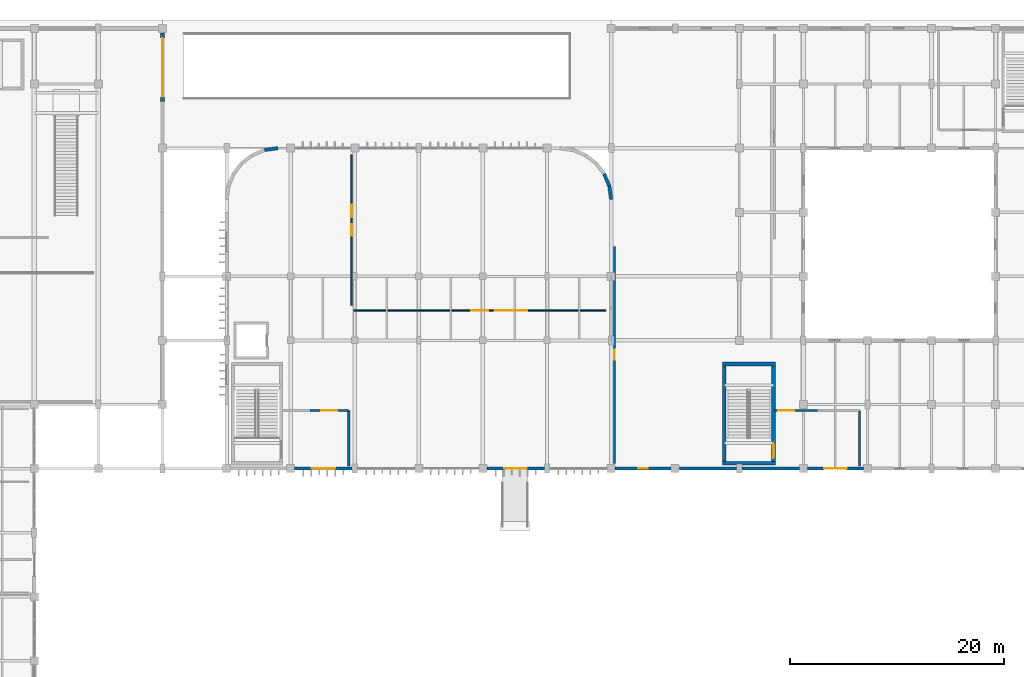
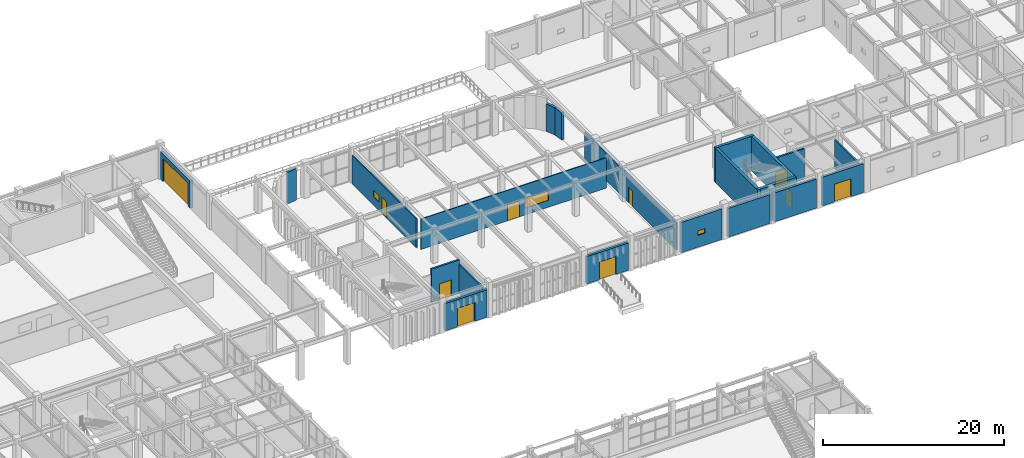
# One storey, part 47 of 76: 21 walls, 10 doors, 3 windows, 13 openings.
"""IFC4 building model written with IfcOpenShell, lengths in metres."""

from ifc_helpers import new_model, si_unit, direction, frame, frame_2d, origin, place, context, subcontext, project, spatial, rectangle, extrude, material, layer, layer_set, type_object, element, fill, save


model = new_model("IFC4")

# Units and contexts
model_context = context("Model", 3, precision=1e-05, world=origin(), true_north=direction((0.0, 1.0)))
body_context = subcontext(model_context, "Body", "Model", "MODEL_VIEW")
ifc_project = project(units=[si_unit("LENGTHUNIT", "METRE"), si_unit("AREAUNIT", "SQUARE_METRE"), si_unit("VOLUMEUNIT", "CUBIC_METRE"), si_unit("PLANEANGLEUNIT", "RADIAN"), si_unit("MASSUNIT", "GRAM", prefix="KILO")], contexts=[model_context])

# Site, building, storey
site_placement = place(None, origin())
site = spatial("IfcSite", under=ifc_project, at=site_placement, CompositionType="ELEMENT")
building_placement = place(site_placement, origin())
building = spatial("IfcBuilding", under=site, at=building_placement, Name="Varnakota Square Police Headquarters", CompositionType="ELEMENT")
storey_placement = place(building_placement, origin())
storey = spatial("IfcBuildingStorey", under=building, at=storey_placement, Name="L00", CompositionType="ELEMENT", Elevation=0.0)

# Wall
ifc_material_1 = material(Name="Concrete M50", Category="concrete")
ifc_layer_1 = layer(ifc_material_1, 0.35009765625, Name="Concrete M50")
ifc_layer_set_1 = layer_set([ifc_layer_1], Name="Concrete M50")
wall_type_1 = type_object("IfcWallType", Name="WL-CORE-350", PredefinedType="SHEAR", material=ifc_layer_set_1)
wall_1_placement = place(storey_placement, frame((106.425048828125, 69.5, 0.0), z_axis=(0.0, 0.0, 1.0), x_axis=(1.0, 0.0, 0.0)))
element("IfcWall", 1, at=wall_1_placement, inside=storey, type_object=wall_type_1, Name="Core C9 shear wall L00 S", PredefinedType="SHEAR", context=body_context, shape_type="SweptSolid", body=[
    extrude(rectangle(XDim=4.949951171875, YDim=0.35009765625, at=frame_2d((2.47509765625, 0.0))), origin(), (0.0, 0.0, 1.0), 4.659912109375),
])

# Wall, opening, door
wall_2_placement = place(storey_placement, frame((111.199951171875, 69.324951171875, 0.0), z_axis=(0.0, 0.0, 1.0), x_axis=(0.0, 1.0, 0.0)))
wall_2 = element("IfcWall", 2, at=wall_2_placement, inside=storey, type_object=wall_type_1, Name="Core C9 shear wall L00 E", PredefinedType="SHEAR", context=body_context, shape_type="SweptSolid", body=[
    extrude(rectangle(XDim=9.650146484375, YDim=0.35009765625, at=frame_2d((4.8251953125, 0.0))), origin(), (0.0, 0.0, 1.0), 4.659912109375),
])
opening_1_placement = place(wall_2_placement, frame((0.655029296875, 0.0, 0.0)))
opening_1 = element("IfcOpeningElement", 3, at=opening_1_placement, cuts=wall_2, Name="Opening SD123", PredefinedType="OPENING", context=body_context, shape_type="SweptSolid", body=[
    extrude(rectangle(XDim=1.39990234375, YDim=2.199951171875, at=frame_2d((0.699951171875, 1.10009765625))), frame((0.0, 0.18505859375, 0.0), z_axis=(0.0, -1.0, 0.0), x_axis=(1.0, 0.0, 0.0)), (0.0, 0.0, 1.0), 0.3701171875),
])
ifc_material_2 = material(Name="Powder-Coated Galvanised Steel", Category="steel")
door_type_1 = type_object("IfcDoorType", Name="DR-ST-140", OperationType="NOTDEFINED", PredefinedType="DOOR", material=ifc_material_2)
door_1_placement = place(opening_1_placement, origin())
door_1 = element("IfcDoor", 4, at=door_1_placement, inside=storey, type_object=door_type_1, Name="Protected stair door SD123", OperationType="DOUBLE_DOOR_SINGLE_SWING", OverallHeight=2.199951171875, OverallWidth=1.39990234375, PredefinedType="DOOR", context=body_context, shape_type="SweptSolid", body=[
    extrude(rectangle(XDim=1.39990234375, YDim=2.199951171875, at=frame_2d((0.699951171875, 1.10009765625))), frame((0.0, 0.02490234375, 0.0), z_axis=(0.0, -1.0, 0.0), x_axis=(1.0, 0.0, 0.0)), (0.0, 0.0, 1.0), 0.050048828125),
])
fill(opening_1, door_1)

# Walls
wall_3_placement = place(storey_placement, frame((111.375, 78.800048828125, 0.0), z_axis=(0.0, 0.0, 1.0), x_axis=(-1.0, 0.0, 0.0)))
element("IfcWall", 5, at=wall_3_placement, inside=storey, type_object=wall_type_1, Name="Core C9 shear wall L00 N", PredefinedType="SHEAR", context=body_context, shape_type="SweptSolid", body=[
    extrude(rectangle(XDim=4.949951171875, YDim=0.35009765625, at=frame_2d((2.47509765625, 0.0))), origin(), (0.0, 0.0, 1.0), 4.659912109375),
])
wall_4_placement = place(storey_placement, frame((106.60009765625, 78.97509765625, 0.0), z_axis=(0.0, 0.0, 1.0), x_axis=(0.0, -1.0, 0.0)))
element("IfcWall", 6, at=wall_4_placement, inside=storey, type_object=wall_type_1, Name="Core C9 shear wall L00 W", PredefinedType="SHEAR", context=body_context, shape_type="SweptSolid", body=[
    extrude(rectangle(XDim=9.650146484375, YDim=0.35009765625, at=frame_2d((4.8251953125, 0.0))), origin(), (0.0, 0.0, 1.0), 4.659912109375),
])

# Wall, opening, door
ifc_material_3 = material(Name="Precast concrete M40", Category="concrete")
ifc_layer_2 = layer(ifc_material_3, 0.300048828125, Name="Precast concrete M40")
ifc_layer_set_2 = layer_set([ifc_layer_2], Name="Precast concrete M40")
wall_type_2 = type_object("IfcWallType", Name="WL-EXT-300", PredefinedType="SOLIDWALL", material=ifc_layer_set_2)
wall_5_placement = place(storey_placement, frame((66.37890625, 69.0, 0.0), z_axis=(0.0, 0.0, 1.0), x_axis=(1.0, 0.0, 0.0)))
wall_5 = element("IfcWall", 7, at=wall_5_placement, inside=storey, type_object=wall_type_2, Name="Exterior wall EW-L00-0471", PredefinedType="SOLIDWALL", context=body_context, shape_type="SweptSolid", body=[
    extrude(rectangle(XDim=5.3671875, YDim=0.300048828125, at=frame_2d((2.68359375, 0.0))), origin(), (0.0, 0.0, 1.0), 3.68994140625),
])
opening_2_placement = place(wall_5_placement, frame((1.58349609375, 0.0, 0.0)))
opening_2 = element("IfcOpeningElement", 8, at=opening_2_placement, cuts=wall_5, Name="Opening ED22", PredefinedType="OPENING", context=body_context, shape_type="SweptSolid", body=[
    extrude(rectangle(XDim=2.199951171875, YDim=2.5, at=frame_2d((1.10009765625, 1.25))), frame((0.0, 0.159912109375, 0.0), z_axis=(0.0, -1.0, 0.0), x_axis=(1.0, 0.0, 0.0)), (0.0, 0.0, 1.0), 0.320068359375),
])
ifc_material_4 = material(Name="Anodised Aluminium Civic Entrance Door", Category="aluminium")
door_type_2 = type_object("IfcDoorType", Name="DR-EXT-ED220", OperationType="NOTDEFINED", PredefinedType="DOOR", material=ifc_material_4)
door_2_placement = place(opening_2_placement, frame((2.199951171875, 0.0, 0.0), z_axis=(0.0, 0.0, 1.0), x_axis=(-1.0, 0.0, 0.0)))
door_2 = element("IfcDoor", 9, at=door_2_placement, inside=storey, type_object=door_type_2, Name="Exterior door ED22", OperationType="DOUBLE_DOOR_SINGLE_SWING", OverallHeight=2.5, OverallWidth=2.199951171875, PredefinedType="DOOR", context=body_context, shape_type="SweptSolid", body=[
    extrude(rectangle(XDim=2.199951171875, YDim=2.5, at=frame_2d((1.10009765625, 1.25))), frame((0.0, 0.02490234375, 0.0), z_axis=(0.0, -1.0, 0.0), x_axis=(1.0, 0.0, 0.0)), (0.0, 0.0, 1.0), 0.050048828125),
])
fill(opening_2, door_2)

wall_6_placement = place(storey_placement, frame((84.37890625, 69.0, 0.0), z_axis=(0.0, 0.0, 1.0), x_axis=(1.0, 0.0, 0.0)))
wall_6 = element("IfcWall", 10, at=wall_6_placement, inside=storey, type_object=wall_type_2, Name="Exterior wall EW-L00-0472", PredefinedType="SOLIDWALL", context=body_context, shape_type="SweptSolid", body=[
    extrude(rectangle(XDim=5.3671875, YDim=0.300048828125, at=frame_2d((2.68359375, 0.0))), origin(), (0.0, 0.0, 1.0), 3.68994140625),
])
opening_3_placement = place(wall_6_placement, frame((1.633544921875, 0.0, 0.0)))
opening_3 = element("IfcOpeningElement", 11, at=opening_3_placement, cuts=wall_6, Name="Opening ED23", PredefinedType="OPENING", context=body_context, shape_type="SweptSolid", body=[
    extrude(rectangle(XDim=2.10009765625, YDim=2.39990234375, at=frame_2d((1.050048828125, 1.199951171875))), frame((0.0, 0.159912109375, 0.0), z_axis=(0.0, -1.0, 0.0), x_axis=(1.0, 0.0, 0.0)), (0.0, 0.0, 1.0), 0.320068359375),
])
ifc_material_5 = material(Name="Anodised Aluminium Glazed Exit Door", Category="aluminium")
door_type_3 = type_object("IfcDoorType", Name="DR-EXT-ED210", OperationType="NOTDEFINED", PredefinedType="DOOR", material=ifc_material_5)
door_3_placement = place(opening_3_placement, frame((2.10009765625, 0.0, 0.0), z_axis=(0.0, 0.0, 1.0), x_axis=(-1.0, 0.0, 0.0)))
door_3 = element("IfcDoor", 12, at=door_3_placement, inside=storey, type_object=door_type_3, Name="Exterior door ED23", OperationType="DOUBLE_DOOR_SINGLE_SWING", OverallHeight=2.39990234375, OverallWidth=2.10009765625, PredefinedType="DOOR", context=body_context, shape_type="SweptSolid", body=[
    extrude(rectangle(XDim=2.10009765625, YDim=2.39990234375, at=frame_2d((1.050048828125, 1.199951171875))), frame((0.0, 0.02490234375, 0.0), z_axis=(0.0, -1.0, 0.0), x_axis=(1.0, 0.0, 0.0)), (0.0, 0.0, 1.0), 0.050048828125),
])
fill(opening_3, door_3)

# Wall, opening, window
wall_7_placement = place(storey_placement, frame((96.37890625, 69.0, 0.0), z_axis=(0.0, 0.0, 1.0), x_axis=(1.0, 0.0, 0.0)))
wall_7 = element("IfcWall", 13, at=wall_7_placement, inside=storey, type_object=wall_type_2, Name="Exterior wall EW-L00-0660", PredefinedType="SOLIDWALL", context=body_context, shape_type="SweptSolid", body=[
    extrude(rectangle(XDim=5.2421875, YDim=0.300048828125, at=frame_2d((2.62109375, 0.0))), origin(), (0.0, 0.0, 1.0), 4.090087890625),
])
opening_4_placement = place(wall_7_placement, frame((2.1708984375, 0.0, 1.60009765625)))
opening_4 = element("IfcOpeningElement", 14, at=opening_4_placement, cuts=wall_7, Name="Opening W13", PredefinedType="OPENING", context=body_context, shape_type="SweptSolid", body=[
    extrude(rectangle(XDim=0.89990234375, YDim=0.60009765625, at=frame_2d((0.449951171875, 0.300048828125))), frame((0.0, 0.159912109375, 0.0), z_axis=(0.0, -1.0, 0.0), x_axis=(1.0, 0.0, 0.0)), (0.0, 0.0, 1.0), 0.320068359375),
])
ifc_material_6 = material(Name="Thermally Broken Aluminium Double-Glazed Window", Category="aluminium")
window_type_1 = type_object("IfcWindowType", Name="WIN-13", PartitioningType="SINGLE_PANEL", PredefinedType="WINDOW", material=ifc_material_6)
window_1_placement = place(opening_4_placement, origin())
window_1 = element("IfcWindow", 15, at=window_1_placement, inside=storey, type_object=window_type_1, Name="Window WN-L00-0169", OverallHeight=0.60009765625, OverallWidth=0.89990234375, PartitioningType="SINGLE_PANEL", PredefinedType="WINDOW", context=body_context, shape_type="SweptSolid", body=[
    extrude(rectangle(XDim=0.89990234375, YDim=0.60009765625, at=frame_2d((0.449951171875, 0.300048828125))), frame((0.0, 0.030029296875, 0.0), z_axis=(0.0, -1.0, 0.0), x_axis=(1.0, 0.0, 0.0)), (0.0, 0.0, 1.0), 0.06005859375),
])
fill(opening_4, window_1)

# Walls
for number, where, z_axis, x_axis, name in (
    (16, (102.37890625, 69.0, 0.0), (0.0, 0.0, 1.0), (1.0, 0.0, 0.0), "Exterior wall EW-L00-0661"),
    (17, (108.25390625, 69.0, 0.0), (0.0, 0.0, 1.0), (1.0, 0.0, 0.0), "Exterior wall EW-L00-0662"),
):
    element("IfcWall", number, at=place(storey_placement, frame(where, z_axis=z_axis, x_axis=x_axis)), inside=storey, type_object=wall_type_2, Name=name, PredefinedType="SOLIDWALL", context=body_context, shape_type="SweptSolid", body=[
        extrude(rectangle(XDim=5.3671875, YDim=0.300048828125, at=frame_2d((2.68359375, 0.0))), origin(), (0.0, 0.0, 1.0), 3.889892578125),
    ])

# Wall, opening, door
wall_8_placement = place(storey_placement, frame((114.37890625, 69.0, 0.0), z_axis=(0.0, 0.0, 1.0), x_axis=(1.0, 0.0, 0.0)))
wall_8 = element("IfcWall", 18, at=wall_8_placement, inside=storey, type_object=wall_type_2, Name="Exterior wall EW-L00-0663", PredefinedType="SOLIDWALL", context=body_context, shape_type="SweptSolid", body=[
    extrude(rectangle(XDim=5.2421875, YDim=0.300048828125, at=frame_2d((2.62109375, 0.0))), origin(), (0.0, 0.0, 1.0), 3.889892578125),
])
opening_5_placement = place(wall_8_placement, frame((1.571044921875, 0.0, 0.0)))
opening_5 = element("IfcOpeningElement", 19, at=opening_5_placement, cuts=wall_8, Name="Opening ED07", PredefinedType="OPENING", context=body_context, shape_type="SweptSolid", body=[
    extrude(rectangle(XDim=2.10009765625, YDim=2.39990234375, at=frame_2d((1.050048828125, 1.199951171875))), frame((0.0, 0.159912109375, 0.0), z_axis=(0.0, -1.0, 0.0), x_axis=(1.0, 0.0, 0.0)), (0.0, 0.0, 1.0), 0.320068359375),
])
door_4_placement = place(opening_5_placement, frame((2.10009765625, 0.0, 0.0), z_axis=(0.0, 0.0, 1.0), x_axis=(-1.0, 0.0, 0.0)))
door_4 = element("IfcDoor", 20, at=door_4_placement, inside=storey, type_object=door_type_3, Name="Exterior door ED07", OperationType="DOUBLE_DOOR_SINGLE_SWING", OverallHeight=2.39990234375, OverallWidth=2.10009765625, PredefinedType="DOOR", context=body_context, shape_type="SweptSolid", body=[
    extrude(rectangle(XDim=2.10009765625, YDim=2.39990234375, at=frame_2d((1.050048828125, 1.199951171875))), frame((0.0, 0.02490234375, 0.0), z_axis=(0.0, -1.0, 0.0), x_axis=(1.0, 0.0, 0.0)), (0.0, 0.0, 1.0), 0.050048828125),
])
fill(opening_5, door_4)

# Walls
ifc_layer_3 = layer(ifc_material_3, 0.320068359375, Name="Precast concrete M40")
ifc_layer_set_3 = layer_set([ifc_layer_3], Name="Precast concrete M40")
wall_type_3 = type_object("IfcWallType", Name="WL-EXT-320", PredefinedType="SOLIDWALL", material=ifc_layer_set_3)
wall_9_placement = place(storey_placement, frame((64.800048828125, 99.0, 0.0), z_axis=(0.0, 0.0, 1.0), x_axis=(-0.991444346045, -0.130530106475, 0.0)))
element("IfcWall", 21, at=wall_9_placement, inside=storey, type_object=wall_type_3, Name="Exterior wall EW-L00-0476", PredefinedType="SOLIDWALL", context=body_context, shape_type="SweptSolid", body=[
    extrude(rectangle(XDim=1.253173828125, YDim=0.320068359375, at=frame_2d((0.62646484375, 0.0))), origin(), (0.0, 0.0, 1.0), 4.239990234375),
])
for number, where, z_axis, x_axis, name in (
    (22, (96.0, 94.199951171875, 0.0), (0.0, 0.0, 1.0), (-0.130530106475, 0.991444346045, 0.0), "Exterior wall EW-L00-0482"),
    (23, (95.83642578125, 95.4423828125, 0.0), (0.0, 0.0, 1.0), (-0.382650053678, 0.92389335771, 0.0), "Exterior wall EW-L00-0483"),
):
    element("IfcWall", number, at=place(storey_placement, frame(where, z_axis=z_axis, x_axis=x_axis)), inside=storey, type_object=wall_type_3, Name=name, PredefinedType="SOLIDWALL", context=body_context, shape_type="SweptSolid", body=[
        extrude(rectangle(XDim=1.253173828125, YDim=0.320068359375, at=frame_2d((0.62646484375, 0.0))), origin(), (0.0, 0.0, 1.0), 3.68994140625),
    ])

# Wall, opening, door
ifc_material_7 = material(Name="Concrete M40", Category="concrete")
ifc_layer_4 = layer(ifc_material_7, 0.360107421875, Name="Concrete M40")
ifc_layer_set_4 = layer_set([ifc_layer_4], Name="Concrete M40")
wall_type_4 = type_object("IfcWallType", Name="WL-EXT-360", PredefinedType="SOLIDWALL", material=ifc_layer_set_4)
wall_10_placement = place(storey_placement, frame((54.0, 103.300048828125, 0.0), z_axis=(0.0, 0.0, 1.0), x_axis=(0.0, 1.0, 0.0)))
wall_10 = element("IfcWall", 24, at=wall_10_placement, inside=storey, type_object=wall_type_4, Name="Vehicle ramp portal wall", PredefinedType="SOLIDWALL", context=body_context, shape_type="SweptSolid", body=[
    extrude(rectangle(XDim=6.5, YDim=0.360107421875, at=frame_2d((3.25, 0.0))), origin(), (0.0, 0.0, 1.0), 3.68994140625),
])
opening_6_placement = place(wall_10_placement, frame((0.5, 0.0, 0.0)))
opening_6 = element("IfcOpeningElement", 25, at=opening_6_placement, cuts=wall_10, Name="Opening VG1", PredefinedType="OPENING", context=body_context, shape_type="SweptSolid", body=[
    extrude(rectangle(XDim=5.5, YDim=3.10009765625, at=frame_2d((2.75, 1.550048828125))), frame((0.0, 0.18994140625, 0.0), z_axis=(0.0, -1.0, 0.0), x_axis=(1.0, 0.0, 0.0)), (0.0, 0.0, 1.0), 0.380126953125),
])
ifc_material_8 = material(Name="Galvanised Steel Armoured Roller Shutter", Category="steel")
door_type_4 = type_object("IfcDoorType", Name="DR-GATE-VG600", OperationType="NOTDEFINED", PredefinedType="GATE", material=ifc_material_8)
door_5_placement = place(opening_6_placement, origin())
door_5 = element("IfcDoor", 26, at=door_5_placement, inside=storey, type_object=door_type_4, Name="Basement ramp security roller shutter gate VG1", OperationType="ROLLINGUP", OverallHeight=3.10009765625, OverallWidth=5.5, PredefinedType="GATE", context=body_context, shape_type="SweptSolid", body=[
    extrude(rectangle(XDim=5.5, YDim=3.10009765625, at=frame_2d((2.75, 1.550048828125))), frame((0.0, 0.02490234375, 0.0), z_axis=(0.0, -1.0, 0.0), x_axis=(1.0, 0.0, 0.0)), (0.0, 0.0, 1.0), 0.050048828125),
])
fill(opening_6, door_5)

# Wall, openings, door, window
ifc_material_9 = material(Name="Glazed Clean-Lab Modular Partition", Category="gypsum")
ifc_layer_5 = layer(ifc_material_9, 0.10498046875, Name="Glazed Clean-Lab Modular Partition")
ifc_layer_set_5 = layer_set([ifc_layer_5], Name="Glazed Clean-Lab Modular Partition")
wall_type_5 = type_object("IfcWallType", Name="WL-PRT-105", PredefinedType="PARTITIONING", material=ifc_layer_set_5)
wall_11_placement = place(storey_placement, frame((71.89990234375, 83.800048828125, 0.0), z_axis=(0.0, 0.0, 1.0), x_axis=(1.0, 0.0, 0.0)))
wall_11 = element("IfcWall", 27, at=wall_11_placement, inside=storey, type_object=wall_type_5, Name="Interior partition PW-L00-0049 (Emergency Dispatch Support Office)", PredefinedType="PARTITIONING", context=body_context, shape_type="SweptSolid", body=[
    extrude(rectangle(XDim=23.60009765625, YDim=0.10498046875, at=frame_2d((11.800048828125, 0.0))), origin(), (0.0, 0.0, 1.0), 4.090087890625),
])
opening_7_placement = place(wall_11_placement, frame((11.02490234375, 0.0, 0.0)))
opening_7 = element("IfcOpeningElement", 28, at=opening_7_placement, cuts=wall_11, Name="Opening D181", PredefinedType="OPENING", context=body_context, shape_type="SweptSolid", body=[
    extrude(rectangle(XDim=1.550048828125, YDim=2.199951171875, at=frame_2d((0.77490234375, 1.10009765625))), frame((0.0, 0.0625, 0.0), z_axis=(0.0, -1.0, 0.0), x_axis=(1.0, 0.0, 0.0)), (0.0, 0.0, 1.0), 0.125),
])
opening_8_placement = place(wall_11_placement, frame((13.22509765625, 0.0, 0.949951171875)))
opening_8 = element("IfcOpeningElement", 29, at=opening_8_placement, cuts=wall_11, Name="Opening IW04", PredefinedType="OPENING", context=body_context, shape_type="SweptSolid", body=[
    extrude(rectangle(XDim=3.0, YDim=1.300048828125, at=frame_2d((1.5, 0.64990234375))), frame((0.0, 0.0625, 0.0), z_axis=(0.0, -1.0, 0.0), x_axis=(1.0, 0.0, 0.0)), (0.0, 0.0, 1.0), 0.125),
])
ifc_material_10 = material(Name="Solid-Core Acoustic Oak Veneer Timber", Category="wood")
door_type_5 = type_object("IfcDoorType", Name="DR-BRF-155", OperationType="NOTDEFINED", PredefinedType="DOOR", material=ifc_material_10)
door_6_placement = place(opening_7_placement, origin())
door_6 = element("IfcDoor", 30, at=door_6_placement, inside=storey, type_object=door_type_5, Name="Room door D181 (Emergency Dispatch Support Office)", OperationType="DOUBLE_DOOR_SINGLE_SWING", OverallHeight=2.199951171875, OverallWidth=1.550048828125, PredefinedType="DOOR", context=body_context, shape_type="SweptSolid", body=[
    extrude(rectangle(XDim=1.550048828125, YDim=2.199951171875, at=frame_2d((0.77490234375, 1.10009765625))), frame((0.0, 0.02490234375, 0.0), z_axis=(0.0, -1.0, 0.0), x_axis=(1.0, 0.0, 0.0)), (0.0, 0.0, 1.0), 0.050048828125),
])
fill(opening_7, door_6)
ifc_material_11 = material(Name="Acoustic Laminated Interior Vision Glazing", Category="glass")
window_type_2 = type_object("IfcWindowType", Name="WIN-INT-04", PartitioningType="SINGLE_PANEL", PredefinedType="WINDOW", material=ifc_material_11)
window_2_placement = place(opening_8_placement, origin())
window_2 = element("IfcWindow", 31, at=window_2_placement, inside=storey, type_object=window_type_2, Name="Interior observation window IWN-L00-012", OverallHeight=1.300048828125, OverallWidth=3.0, PartitioningType="SINGLE_PANEL", PredefinedType="WINDOW", context=body_context, shape_type="SweptSolid", body=[
    extrude(rectangle(XDim=3.0, YDim=1.300048828125, at=frame_2d((1.5, 0.64990234375))), frame((0.0, 0.030029296875, 0.0), z_axis=(0.0, -1.0, 0.0), x_axis=(1.0, 0.0, 0.0)), (0.0, 0.0, 1.0), 0.06005859375),
])
fill(opening_8, window_2)

ifc_material_12 = material(Name="Acoustic Insulated Metal-Stud Partition", Category="gypsum")
ifc_layer_6 = layer(ifc_material_12, 0.139892578125, Name="Acoustic Insulated Metal-Stud Partition")
ifc_layer_set_6 = layer_set([ifc_layer_6], Name="Acoustic Insulated Metal-Stud Partition")
wall_type_6 = type_object("IfcWallType", Name="WL-PRT-140", PredefinedType="PARTITIONING", material=ifc_layer_set_6)
wall_12_placement = place(storey_placement, frame((71.699951171875, 84.300048828125, 0.0), z_axis=(0.0, 0.0, 1.0), x_axis=(0.0, 1.0, 0.0)))
wall_12 = element("IfcWall", 32, at=wall_12_placement, inside=storey, type_object=wall_type_6, Name="Interior partition PW-L00-0050 (Campus Security Control Office)", PredefinedType="PARTITIONING", context=body_context, shape_type="SweptSolid", body=[
    extrude(rectangle(XDim=14.099853515625, YDim=0.139892578125, at=frame_2d((7.0498046875, 0.0))), origin(), (0.0, 0.0, 1.0), 3.889892578125),
])
opening_9_placement = place(wall_12_placement, frame((6.52490234375, 0.0, 0.0)))
opening_9 = element("IfcOpeningElement", 33, at=opening_9_placement, cuts=wall_12, Name="Opening D182", PredefinedType="OPENING", context=body_context, shape_type="SweptSolid", body=[
    extrude(rectangle(XDim=1.050048828125, YDim=2.199951171875, at=frame_2d((0.52490234375, 1.10009765625))), frame((0.0, 0.079833984375, 0.0), z_axis=(0.0, -1.0, 0.0), x_axis=(1.0, 0.0, 0.0)), (0.0, 0.0, 1.0), 0.159912109375),
])
opening_10_placement = place(wall_12_placement, frame((8.22509765625, 0.0, 1.14990234375)))
opening_10 = element("IfcOpeningElement", 34, at=opening_10_placement, cuts=wall_12, Name="Opening IW05", PredefinedType="OPENING", context=body_context, shape_type="SweptSolid", body=[
    extrude(rectangle(XDim=1.199951171875, YDim=0.89990234375, at=frame_2d((0.60009765625, 0.449951171875))), frame((0.0, 0.079833984375, 0.0), z_axis=(0.0, -1.0, 0.0), x_axis=(1.0, 0.0, 0.0)), (0.0, 0.0, 1.0), 0.159912109375),
])
ifc_material_13 = material(Name="Anodised Aluminium and Laminated Acoustic Glass", Category="aluminium")
door_type_6 = type_object("IfcDoorType", Name="DR-OFF-105", OperationType="NOTDEFINED", PredefinedType="DOOR", material=ifc_material_13)
door_7_placement = place(opening_9_placement, origin())
door_7 = element("IfcDoor", 35, at=door_7_placement, inside=storey, type_object=door_type_6, Name="Room door D182 (Campus Security Control Office)", OperationType="SINGLE_SWING_RIGHT", OverallHeight=2.199951171875, OverallWidth=1.050048828125, PredefinedType="DOOR", context=body_context, shape_type="SweptSolid", body=[
    extrude(rectangle(XDim=1.050048828125, YDim=2.199951171875, at=frame_2d((0.52490234375, 1.10009765625))), frame((0.0, 0.02490234375, 0.0), z_axis=(0.0, -1.0, 0.0), x_axis=(1.0, 0.0, 0.0)), (0.0, 0.0, 1.0), 0.050048828125),
])
fill(opening_9, door_7)
window_type_3 = type_object("IfcWindowType", Name="WIN-INT-05", PartitioningType="SINGLE_PANEL", PredefinedType="WINDOW", material=ifc_material_11)
window_3_placement = place(opening_10_placement, origin())
window_3 = element("IfcWindow", 36, at=window_3_placement, inside=storey, type_object=window_type_3, Name="Interior observation window IWN-L00-013", OverallHeight=0.89990234375, OverallWidth=1.199951171875, PartitioningType="SINGLE_PANEL", PredefinedType="WINDOW", context=body_context, shape_type="SweptSolid", body=[
    extrude(rectangle(XDim=1.199951171875, YDim=0.89990234375, at=frame_2d((0.60009765625, 0.449951171875))), frame((0.0, 0.030029296875, 0.0), z_axis=(0.0, -1.0, 0.0), x_axis=(1.0, 0.0, 0.0)), (0.0, 0.0, 1.0), 0.06005859375),
])
fill(opening_10, window_3)

# Wall, opening, door
ifc_material_14 = material(Name="Autoclaved Aerated Concrete Blockwork", Category="masonry")
ifc_layer_7 = layer(ifc_material_14, 0.18994140625, Name="Autoclaved Aerated Concrete Blockwork")
ifc_layer_set_7 = layer_set([ifc_layer_7], Name="Autoclaved Aerated Concrete Blockwork")
wall_type_7 = type_object("IfcWallType", Name="WL-PRT-190F", PredefinedType="PARTITIONING", material=ifc_layer_set_7)
wall_13_placement = place(storey_placement, frame((96.300048828125, 69.5, 0.0), z_axis=(0.0, 0.0, 1.0), x_axis=(0.0, 1.0, 0.0)))
wall_13 = element("IfcWall", 37, at=wall_13_placement, inside=storey, type_object=wall_type_7, Name="Interior partition PW-L00-0052 (Custody Holding Cell Block A)", PredefinedType="PARTITIONING", context=body_context, shape_type="SweptSolid", body=[
    extrude(rectangle(XDim=20.300048828125, YDim=0.18994140625, at=frame_2d((10.14990234375, 0.0))), origin(), (0.0, 0.0, 1.0), 3.68994140625),
])
opening_11_placement = place(wall_13_placement, frame((9.675048828125, 0.0, 0.0)))
opening_11 = element("IfcOpeningElement", 38, at=opening_11_placement, cuts=wall_13, Name="Opening D184", PredefinedType="OPENING", context=body_context, shape_type="SweptSolid", body=[
    extrude(rectangle(XDim=0.949951171875, YDim=2.10009765625, at=frame_2d((0.47509765625, 1.050048828125))), frame((0.0, 0.10498046875, 0.0), z_axis=(0.0, -1.0, 0.0), x_axis=(1.0, 0.0, 0.0)), (0.0, 0.0, 1.0), 0.2099609375),
])
ifc_material_15 = material(Name="Heavy-Gauge Powder-Coated Security Steel", Category="steel")
door_type_7 = type_object("IfcDoorType", Name="DR-CEL-095", OperationType="NOTDEFINED", PredefinedType="DOOR", material=ifc_material_15)
door_8_placement = place(opening_11_placement, origin())
door_8 = element("IfcDoor", 39, at=door_8_placement, inside=storey, type_object=door_type_7, Name="Room door D184 (Custody Holding Cell Block A)", OperationType="SINGLE_SWING_RIGHT", OverallHeight=2.10009765625, OverallWidth=0.949951171875, PredefinedType="DOOR", context=body_context, shape_type="SweptSolid", body=[
    extrude(rectangle(XDim=0.949951171875, YDim=2.10009765625, at=frame_2d((0.47509765625, 1.050048828125))), frame((0.0, 0.02490234375, 0.0), z_axis=(0.0, -1.0, 0.0), x_axis=(1.0, 0.0, 0.0)), (0.0, 0.0, 1.0), 0.050048828125),
])
fill(opening_11, door_8)

ifc_layer_8 = layer(ifc_material_7, 0.215087890625, Name="Concrete M40")
ifc_layer_set_8 = layer_set([ifc_layer_8], Name="Concrete M40")
wall_type_8 = type_object("IfcWallType", Name="WL-PRT-215F", PredefinedType="PARTITIONING", material=ifc_layer_set_8)
wall_14_placement = place(storey_placement, frame((67.800048828125, 74.449951171875, 0.0), z_axis=(0.0, 0.0, 1.0), x_axis=(1.0, 0.0, 0.0)))
wall_14 = element("IfcWall", 40, at=wall_14_placement, inside=storey, type_object=wall_type_8, Name="Core C6 lobby fire partition L00", PredefinedType="PARTITIONING", context=body_context, shape_type="SweptSolid", body=[
    extrude(rectangle(XDim=3.599853515625, YDim=0.215087890625, at=frame_2d((1.7998046875, 0.0))), origin(), (0.0, 0.0, 1.0), 4.489990234375),
])
opening_12_placement = place(wall_14_placement, frame((1.050048828125, 0.0, 0.0)))
opening_12 = element("IfcOpeningElement", 41, at=opening_12_placement, cuts=wall_14, Name="Opening FD098", PredefinedType="OPENING", context=body_context, shape_type="SweptSolid", body=[
    extrude(rectangle(XDim=1.5, YDim=2.14990234375, at=frame_2d((0.75, 1.074951171875))), frame((0.0, 0.117431640625, 0.0), z_axis=(0.0, -1.0, 0.0), x_axis=(1.0, 0.0, 0.0)), (0.0, 0.0, 1.0), 0.235107421875),
])
ifc_material_16 = material(Name="Smoke-Sealed Galvanised Acoustic Steel", Category="steel")
door_type_8 = type_object("IfcDoorType", Name="DR-FFL-150", OperationType="NOTDEFINED", PredefinedType="DOOR", material=ifc_material_16)
door_9_placement = place(opening_12_placement, origin())
door_9 = element("IfcDoor", 42, at=door_9_placement, inside=storey, type_object=door_type_8, Name="Core lobby smoke door FD098", OperationType="DOUBLE_DOOR_SINGLE_SWING", OverallHeight=2.14990234375, OverallWidth=1.5, PredefinedType="DOOR", context=body_context, shape_type="SweptSolid", body=[
    extrude(rectangle(XDim=1.5, YDim=2.14990234375, at=frame_2d((0.75, 1.074951171875))), frame((0.0, 0.02490234375, 0.0), z_axis=(0.0, -1.0, 0.0), x_axis=(1.0, 0.0, 0.0)), (0.0, 0.0, 1.0), 0.050048828125),
])
fill(opening_12, door_9)

wall_15_placement = place(storey_placement, frame((111.300048828125, 74.449951171875, 0.0), z_axis=(0.0, 0.0, 1.0), x_axis=(1.0, 0.0, 0.0)))
wall_15 = element("IfcWall", 43, at=wall_15_placement, inside=storey, type_object=wall_type_8, Name="Core C9 lobby fire partition L00", PredefinedType="PARTITIONING", context=body_context, shape_type="SweptSolid", body=[
    extrude(rectangle(XDim=4.0, YDim=0.215087890625, at=frame_2d((2.0, 0.0))), origin(), (0.0, 0.0, 1.0), 4.090087890625),
])
opening_13_placement = place(wall_15_placement, frame((0.35009765625, 0.0, 0.0)))
opening_13 = element("IfcOpeningElement", 44, at=opening_13_placement, cuts=wall_15, Name="Opening FD127", PredefinedType="OPENING", context=body_context, shape_type="SweptSolid", body=[
    extrude(rectangle(XDim=1.5, YDim=2.14990234375, at=frame_2d((0.75, 1.074951171875))), frame((0.0, 0.117431640625, 0.0), z_axis=(0.0, -1.0, 0.0), x_axis=(1.0, 0.0, 0.0)), (0.0, 0.0, 1.0), 0.235107421875),
])
door_10_placement = place(opening_13_placement, origin())
door_10 = element("IfcDoor", 45, at=door_10_placement, inside=storey, type_object=door_type_8, Name="Core lobby smoke door FD127", OperationType="DOUBLE_DOOR_SINGLE_SWING", OverallHeight=2.14990234375, OverallWidth=1.5, PredefinedType="DOOR", context=body_context, shape_type="SweptSolid", body=[
    extrude(rectangle(XDim=1.5, YDim=2.14990234375, at=frame_2d((0.75, 1.074951171875))), frame((0.0, 0.02490234375, 0.0), z_axis=(0.0, -1.0, 0.0), x_axis=(1.0, 0.0, 0.0)), (0.0, 0.0, 1.0), 0.050048828125),
])
fill(opening_13, door_10)

# Walls
for number, where, z_axis, x_axis, name in (
    (46, (71.449951171875, 69.25, 0.0), (0.0, 0.0, 1.0), (0.0, 1.0, 0.0), "Protected exit passageway fire wall EXW-C6-E"),
    (47, (119.25, 69.25, 0.0), (0.0, 0.0, 1.0), (0.0, 1.0, 0.0), "Protected exit passageway fire wall EXW-C9-E"),
):
    element("IfcWall", number, at=place(storey_placement, frame(where, z_axis=z_axis, x_axis=x_axis)), inside=storey, type_object=wall_type_8, Name=name, PredefinedType="PARTITIONING", context=body_context, shape_type="SweptSolid", body=[
        extrude(rectangle(XDim=5.199951171875, YDim=0.215087890625, at=frame_2d((2.60009765625, 0.0))), origin(), (0.0, 0.0, 1.0), 3.889892578125),
    ])

save(model, "model.ifc")
